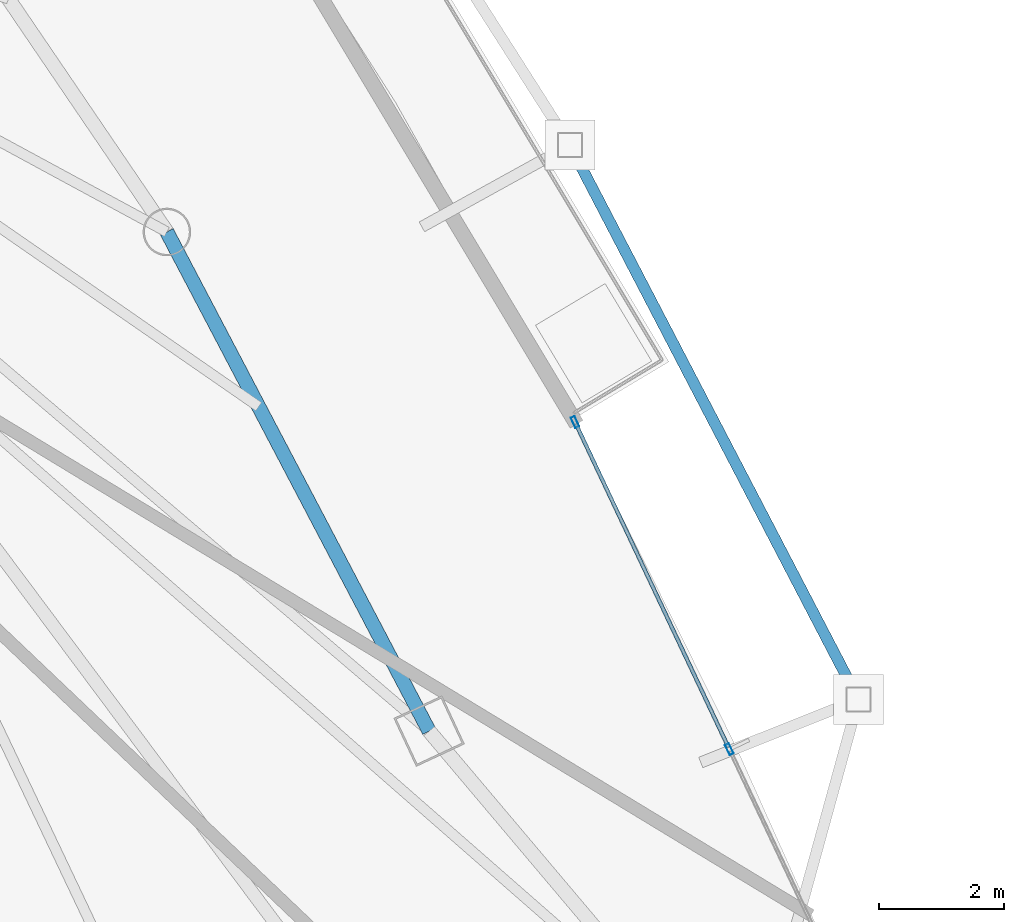
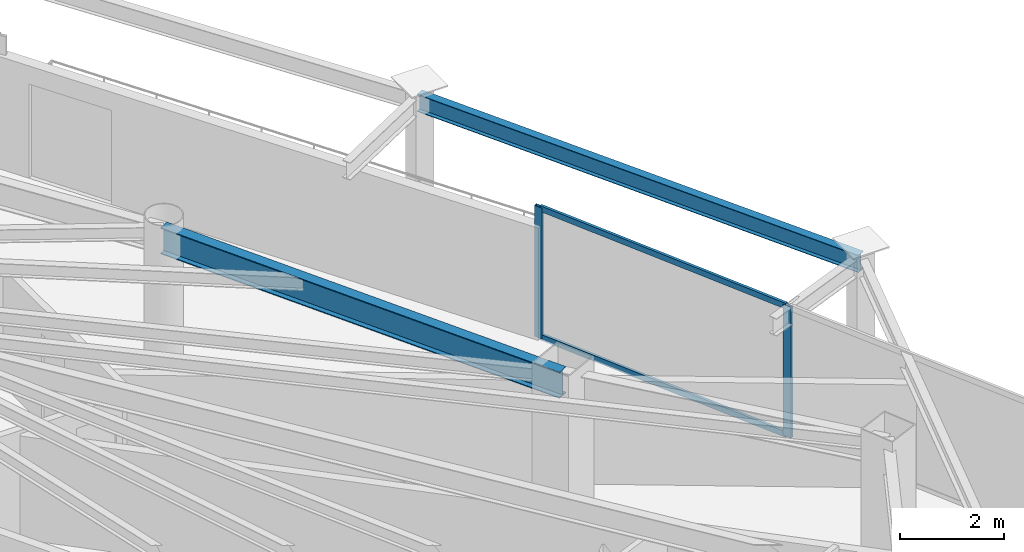
# One storey, part 15 of 31: 4 members, 2 beams, 1 element without a shape of its own.
"""IFC4 building model written with IfcOpenShell, lengths in metres."""

import ifcopenshell
import ifcopenshell.guid

model = None  # the IFC model being written
_history = None  # IfcOwnerHistory: only IFC2X3 demands one
_inside = {}  # id of a spatial element -> (the spatial element, [elements in it])
_under = {}  # id of a project, library or spatial element -> (it, [spatial elements below it])
_declared = {}  # id of a project -> (the project, [libraries it declares])
_typed = {}  # id of a type object -> (the type object, [elements of that type])
_made_of = {}  # id of a material, layer set ... -> (it, [elements and type objects made of it])


def new_model(schema):
    """Start an empty IFC model of exactly this schema.

    Asked for "IFC4X3", IfcOpenShell would pick the latest addendum, in which some entities
    have other attributes; the version numbers below select the first issue.
    IFC2X3 requires an IfcOwnerHistory on every rooted entity: one is made here for all.
    """
    global model, _history
    if schema == "IFC4X3":
        model = ifcopenshell.file(schema_version=(4, 3, 0, 0))
    else:
        model = ifcopenshell.file(schema=schema)
    _inside.clear()
    _under.clear()
    _declared.clear()
    _typed.clear()
    _made_of.clear()
    _history = None
    if model.schema == "IFC2X3":
        org = make("IfcOrganization", Name="unknown")
        user = make(
            "IfcPersonAndOrganization",
            ThePerson=make("IfcPerson", FamilyName="unknown"),
            TheOrganization=org,
        )
        app = make(
            "IfcApplication",
            ApplicationDeveloper=org,
            Version="unknown",
            ApplicationFullName="unknown",
            ApplicationIdentifier="unknown",
        )
        _history = make(
            "IfcOwnerHistory",
            OwningUser=user,
            OwningApplication=app,
            ChangeAction="ADDED",
            CreationDate=0,
        )
    return model


def make(cls, **values):
    """One entity of the class cls with the attributes given. An attribute that is None is left unset."""
    return model.create_entity(
        cls, **{name: value for name, value in values.items() if value is not None}
    )


def rooted(cls, **values):
    """An entity with a GlobalId (a new one), such as an element, a storey or a relation."""
    return make(cls, GlobalId=ifcopenshell.guid.new(), OwnerHistory=_history, **values)


def si_unit(unit_type, name, prefix=None):
    """IfcSIUnit, for example si_unit("LENGTHUNIT", "METRE", prefix="MILLI")."""
    return make("IfcSIUnit", UnitType=unit_type, Prefix=prefix, Name=name)


def assignment(units):
    """IfcUnitAssignment: the units of a project."""
    return None if units is None else make("IfcUnitAssignment", Units=units)


def point(xyz):
    """IfcCartesianPoint."""
    return None if xyz is None else make("IfcCartesianPoint", Coordinates=xyz)


def direction(xyz):
    """IfcDirection."""
    return None if xyz is None else make("IfcDirection", DirectionRatios=xyz)


def frame(location, z_axis=None, x_axis=None):
    """IfcAxis2Placement3D, a coordinate frame: its origin and axes. An axis left out is left unset."""
    return make(
        "IfcAxis2Placement3D",
        Location=point(location),
        Axis=direction(z_axis),
        RefDirection=direction(x_axis),
    )


def frame_2d(location, x_axis=None):
    """IfcAxis2Placement2D, a coordinate frame in the plane: its origin and x axis."""
    return make(
        "IfcAxis2Placement2D", Location=point(location), RefDirection=direction(x_axis)
    )


def origin():
    """The frame at (0, 0, 0) with its axes left unset."""
    return frame((0.0, 0.0, 0.0))


def origin_2d():
    """The frame at (0, 0) in the plane with its x axis left unset."""
    return frame_2d((0.0, 0.0))


def place(relative_to, where):
    """IfcLocalPlacement: puts the frame where relative to a parent placement (None: the world)."""
    return make(
        "IfcLocalPlacement", PlacementRelTo=relative_to, RelativePlacement=where
    )


def context(
    kind, dimensions, precision=None, world=None, true_north=None, identifier=None
):
    """IfcGeometricRepresentationContext, for example the 3D "Model" context."""
    return make(
        "IfcGeometricRepresentationContext",
        ContextIdentifier=identifier,
        ContextType=kind,
        CoordinateSpaceDimension=dimensions,
        Precision=precision,
        WorldCoordinateSystem=world,
        TrueNorth=true_north,
    )


def subcontext(parent, identifier, kind, view, scale=None):
    """IfcGeometricRepresentationSubContext, for example "Body" below "Model"."""
    return make(
        "IfcGeometricRepresentationSubContext",
        ContextIdentifier=identifier,
        ContextType=kind,
        ParentContext=parent,
        TargetScale=scale,
        TargetView=view,
    )


def project(units=None, contexts=None):
    """IfcProject with its units and contexts."""
    return rooted(
        "IfcProject",
        Name="project",
        RepresentationContexts=contexts,
        UnitsInContext=assignment(units),
    )


def spatial(cls, under=None, at=None, **own):
    """A site, building, storey or space (cls), placed at a placement, below another one or the project."""
    s = rooted(cls, ObjectPlacement=at, **own)
    if under is not None:
        _under.setdefault(under.id(), (under, []))[1].append(s)
    return s


def profile(cls, at=None, kind="AREA", **sizes):
    """A parametric profile (cls). Its sizes go by their IFC names, for example OverallWidth=200.0."""
    return make(cls, ProfileType=kind, Position=at, **sizes)


def hollow_rectangle(**sizes):
    """IfcRectangleHollowProfileDef."""
    return profile("IfcRectangleHollowProfileDef", **sizes)


def i_section(**sizes):
    """IfcIShapeProfileDef."""
    return profile("IfcIShapeProfileDef", **sizes)


def extrude(swept, where, along, depth):
    """IfcExtrudedAreaSolid: the profile swept, set in the frame where, extruded along a direction by depth."""
    return make(
        "IfcExtrudedAreaSolid",
        SweptArea=swept,
        Position=where,
        ExtrudedDirection=direction(along),
        Depth=depth,
    )


def shape(context_of_items, identifier, shape_type, items):
    """IfcShapeRepresentation: the items that make up one representation, for example the "Body"."""
    return make(
        "IfcShapeRepresentation",
        ContextOfItems=context_of_items,
        RepresentationIdentifier=identifier,
        RepresentationType=shape_type,
        Items=items,
    )


def material(Name=None, Category=None):
    """IfcMaterial."""
    return make("IfcMaterial", Name=Name, Category=Category)


def layer(
    of_material, thickness, ventilated=None, Name=None, Category=None, Priority=None
):
    """IfcMaterialLayer: one layer of a wall or slab, of a material (None: an air gap)."""
    return make(
        "IfcMaterialLayer",
        Material=of_material,
        LayerThickness=thickness,
        IsVentilated=ventilated,
        Name=Name,
        Category=Category,
        Priority=Priority,
    )


def layer_set(layers, Name=None):
    """IfcMaterialLayerSet."""
    return make("IfcMaterialLayerSet", MaterialLayers=layers, LayerSetName=Name)


def material_profile(
    of_material, cross_section, Name=None, Category=None, Priority=None
):
    """IfcMaterialProfile: a cross section and its material."""
    return make(
        "IfcMaterialProfile",
        Name=Name,
        Material=of_material,
        Profile=cross_section,
        Priority=Priority,
        Category=Category,
    )


def profile_set(profiles, Name=None, composite=None):
    """IfcMaterialProfileSet."""
    return make(
        "IfcMaterialProfileSet",
        Name=Name,
        MaterialProfiles=profiles,
        CompositeProfile=composite,
    )


def made_of(thing, what):
    """Note that an element or type object is made of a material, layer set ...; save() writes the relation."""
    if what is not None:
        _made_of.setdefault(what.id(), (what, []))[1].append(thing)
    return thing


def type_object(cls, material=None, **own):
    """A type object (cls), such as IfcWallType, which elements share."""
    return made_of(rooted(cls, **own), material)


def element(
    cls,
    number,
    at=None,
    inside=None,
    cuts=None,
    type_object=None,
    material=None,
    context=None,
    identifier="Body",
    shape_type=None,
    held_by="IfcProductDefinitionShape",
    body=None,
    shapes=None,
    **own,
):
    """One element of the class cls, such as IfcWall. Its Tag is "e" and its number.

    at: its placement. inside: the storey or other place that contains it. cuts: it is an
    opening in that element (IfcRelVoidsElement). A single representation is given by context,
    identifier, shape_type and body (its items); several are given by shapes. held_by: the class
    of the entity that holds the representations. save() writes the other relations.
    """
    e = rooted(cls, Tag="e%d" % number, ObjectPlacement=at, **own)
    if body is not None:
        shapes = [shape(context, identifier, shape_type, body)]
    if shapes is not None:
        e.Representation = make(held_by, Representations=shapes)
    if inside is not None:
        _inside.setdefault(inside.id(), (inside, []))[1].append(e)
    if cuts is not None:
        rooted(
            "IfcRelVoidsElement", RelatingBuildingElement=cuts, RelatedOpeningElement=e
        )
    if type_object is not None:
        _typed.setdefault(type_object.id(), (type_object, []))[1].append(e)
    return made_of(e, material)


def aggregate(whole, parts):
    """IfcRelAggregates: a whole, such as a stair, and the parts it consists of."""
    return rooted("IfcRelAggregates", RelatingObject=whole, RelatedObjects=parts)


def save(model, path):
    """Write the relations noted so far, then the file.

    IfcRelAggregates (storeys below a building ...), IfcRelContainedInSpatialStructure (elements
    in a storey), IfcRelDefinesByType, IfcRelAssociatesMaterial and IfcRelDeclares: one each for
    every whole, place, type object, material and project.
    """
    for whole, parts in _under.values():
        aggregate(whole, parts)
    for where, things in _inside.values():
        rooted(
            "IfcRelContainedInSpatialStructure",
            RelatedElements=things,
            RelatingStructure=where,
        )
    for kind, things in _typed.values():
        rooted("IfcRelDefinesByType", RelatedObjects=things, RelatingType=kind)
    for what, things in _made_of.values():
        rooted("IfcRelAssociatesMaterial", RelatedObjects=things, RelatingMaterial=what)
    for by, libraries in _declared.values():
        rooted("IfcRelDeclares", RelatingContext=by, RelatedDefinitions=libraries)
    model.write(path)


model = new_model("IFC4")

# Units and contexts
model_context = context("Model", 3, precision=1e-05, world=origin(), true_north=direction((0.0, 1.0)))
body_context = subcontext(model_context, "Body", "Model", "MODEL_VIEW")
ifc_project = project(units=[si_unit("LENGTHUNIT", "METRE"), si_unit("AREAUNIT", "SQUARE_METRE"), si_unit("VOLUMEUNIT", "CUBIC_METRE"), si_unit("PLANEANGLEUNIT", "RADIAN"), si_unit("MASSUNIT", "GRAM", prefix="KILO")], contexts=[model_context])

# Site, building, storey
site_placement = place(None, origin())
site = spatial("IfcSite", under=ifc_project, at=site_placement, CompositionType="ELEMENT")
building_placement = place(site_placement, origin())
building = spatial("IfcBuilding", under=site, at=building_placement, Name="Orvanel Arch Residences", CompositionType="ELEMENT")
storey_placement = place(building_placement, frame((0.0, 0.0, 113.300048828125)))
storey = spatial("IfcBuildingStorey", under=building, at=storey_placement, Name="L31", CompositionType="ELEMENT", Elevation=113.300048828125)

# Curtain wall, members
ifc_material_1 = material(Name="Bronze-anodised aluminium AA6063-T6", Category="aluminium")
ifc_layer = layer(ifc_material_1, 0.179931640625)
ifc_layer_set = layer_set([ifc_layer], Name="Bronze-anodised aluminium AA6063-T6")
curtain_wall_type = type_object("IfcCurtainWallType", Name="CW3-MID-SYS", PredefinedType="NOTDEFINED", material=ifc_layer_set)
curtain_wall_placement = place(storey_placement, origin())
curtain_wall = element("IfcCurtainWall", 1, at=curtain_wall_placement, inside=storey, type_object=curtain_wall_type, Name="L31 CW3-MID-SYS Unitised Curtain Wall", PredefinedType="NOTDEFINED")
ifc_material_profile_1 = material_profile(ifc_material_1, hollow_rectangle(XDim=0.070068359375, YDim=0.179931640625, WallThickness=0.00439453125, at=origin_2d()), Name="ALU180x70x4.5")
ifc_profile_set_1 = profile_set([ifc_material_profile_1], Name="Bronze-anodised aluminium AA6063-T6")
member_type_1 = type_object("IfcMemberType", Name="MUL-180x70", PredefinedType="MULLION", material=ifc_profile_set_1)
member_1_placement = place(storey_placement, frame((54.444580078125, 19.3515625, 0.0), z_axis=(0.0, 0.0, 1.0), x_axis=(-0.904427848168, -0.42662661363, 0.0)))
member_1 = element("IfcMember", 2, at=member_1_placement, type_object=member_type_1, Name="CW-S3 mullion 2", PredefinedType="MULLION", context=body_context, shape_type="SweptSolid", body=[
    extrude(hollow_rectangle(XDim=0.070068359375, YDim=0.179931640625, WallThickness=0.00439453125, at=origin_2d()), origin(), (0.0, 0.0, 1.0), 3.06005859375),
])
member_2_placement = place(storey_placement, frame((51.970947265625, 24.595458984375, 0.0), z_axis=(0.0, 0.0, 1.0), x_axis=(-0.904427848168, -0.42662661363, 0.0)))
member_2 = element("IfcMember", 3, at=member_2_placement, type_object=member_type_1, Name="CW-S3 mullion 3", PredefinedType="MULLION", context=body_context, shape_type="SweptSolid", body=[
    extrude(hollow_rectangle(XDim=0.070068359375, YDim=0.179931640625, WallThickness=0.00439453125, at=origin_2d()), origin(), (0.0, 0.0, 1.0), 3.06005859375),
])

# Beams
ifc_material_2 = material(Name="Structural steel AS/NZS 3679.1 Grade 300 (300 MPa)", Category="steel")
ifc_material_profile_2 = material_profile(ifc_material_2, i_section(OverallWidth=0.177978515625, OverallDepth=0.406005859375, WebThickness=0.0078125, FlangeThickness=0.0126953125, at=origin_2d()), Name="410UB59.7")
ifc_profile_set_2 = profile_set([ifc_material_profile_2], Name="Structural steel AS/NZS 3679.1 Grade 300 (300 MPa)")
beam_type_1 = type_object("IfcBeamType", Name="OB-410UB-EXT", PredefinedType="SPANDREL", material=ifc_profile_set_2)
beam_1_placement = place(storey_placement, frame((56.513916015625, 20.14892578125, 2.85693359375), z_axis=(-0.461769433081, 0.886999994742, 0.0), x_axis=(-0.886999994742, -0.461769433081, 0.0)))
element("IfcBeam", 4, at=beam_1_placement, inside=storey, type_object=beam_type_1, Name="L31 Outer Perimeter Floor Ring Beam 09", PredefinedType="SPANDREL", context=body_context, shape_type="SweptSolid", body=[
    extrude(i_section(OverallWidth=0.177978515625, OverallDepth=0.406005859375, WebThickness=0.0078125, FlangeThickness=0.0126953125, at=origin_2d()), origin(), (0.0, 0.0, 1.0), 10.015869140625),
])
ifc_material_profile_3 = material_profile(ifc_material_2, i_section(OverallWidth=0.22900390625, OverallDepth=0.612060546875, WebThickness=0.011962890625, FlangeThickness=0.01953125, at=origin_2d()), Name="610UB125")
ifc_profile_set_3 = profile_set([ifc_material_profile_3], Name="Structural steel AS/NZS 3679.1 Grade 300 (300 MPa)")
beam_type_2 = type_object("IfcBeamType", Name="SP-610UB", PredefinedType="SPANDREL", material=ifc_profile_set_3)
beam_2_placement = place(storey_placement, frame((49.633056640625, 19.64208984375, 2.75390625), z_axis=(-0.465064762793, 0.885276660942, 0.0), x_axis=(-0.885276660942, -0.465064762793, 0.0)))
element("IfcBeam", 5, at=beam_2_placement, inside=storey, type_object=beam_type_2, Name="L31 Perimeter Spandrel Beam 11", PredefinedType="SPANDREL", context=body_context, shape_type="SweptSolid", body=[
    extrude(i_section(OverallWidth=0.22900390625, OverallDepth=0.612060546875, WebThickness=0.011962890625, FlangeThickness=0.01953125, at=origin_2d()), origin(), (0.0, 0.0, 1.0), 9.03564453125),
])

# Member
ifc_material_profile_4 = material_profile(ifc_material_1, hollow_rectangle(XDim=0.06005859375, YDim=0.135009765625, WallThickness=0.00390625, at=origin_2d()), Name="ALU135x60x4")
ifc_profile_set_4 = profile_set([ifc_material_profile_4], Name="Bronze-anodised aluminium AA6063-T6")
member_type_2 = type_object("IfcMemberType", Name="TRN-135x60", PredefinedType="USERDEFINED", material=ifc_profile_set_4)
member_3_placement = place(storey_placement, frame((54.4296875, 19.383056640625, 0.030029296875), z_axis=(-0.426638409956, 0.904422283643, 0.0), x_axis=(-0.904422283643, -0.426638409956, 0.0)))
member_3 = element("IfcMember", 6, at=member_3_placement, type_object=member_type_2, Name="CW-S3 transom 2.1", ObjectType="TRANSOM", PredefinedType="USERDEFINED", context=body_context, shape_type="SweptSolid", body=[
    extrude(hollow_rectangle(XDim=0.06005859375, YDim=0.135009765625, WallThickness=0.00390625, at=origin_2d()), origin(), (0.0, 0.0, 1.0), 5.72802734375),
])

member_4_placement = place(storey_placement, frame((54.4296875, 19.383056640625, 3.030029296875), z_axis=(-0.426638409956, 0.904422283643, 0.0), x_axis=(-0.904422283643, -0.426638409956, 0.0)))
member_4 = element("IfcMember", 7, at=member_4_placement, type_object=member_type_2, Name="CW-S3 transom 2.2", ObjectType="TRANSOM", PredefinedType="USERDEFINED", context=body_context, shape_type="SweptSolid", body=[
    extrude(hollow_rectangle(XDim=0.06005859375, YDim=0.135009765625, WallThickness=0.00390625, at=origin_2d()), origin(), (0.0, 0.0, 1.0), 5.72802734375),
])

aggregate(curtain_wall, [member_1, member_2, member_3, member_4])

save(model, "model.ifc")
